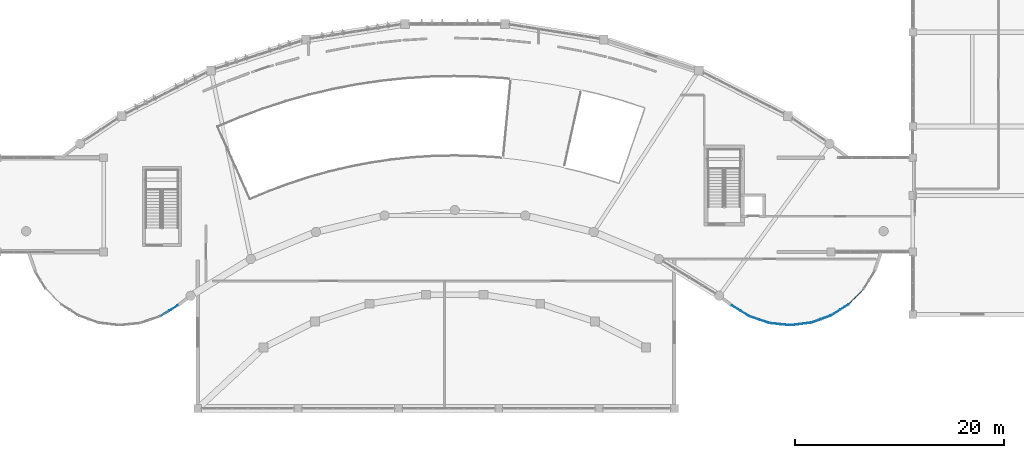
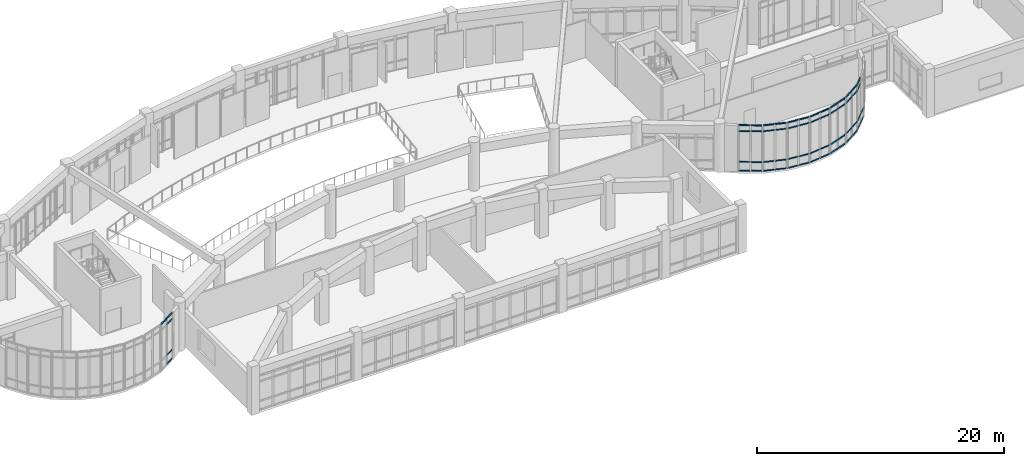
# One storey, part 35 of 68: 59 members, 8 elements without a shape of their own.
"""IFC4 building model written with IfcOpenShell, lengths in metres."""

from ifc_helpers import new_model, si_unit, direction, frame, origin, origin_2d, place, context, subcontext, project, spatial, rectangle, extrude, material, layer, layer_set, material_profile, profile_set, type_object, element, aggregate, save


model = new_model("IFC4")

# Units and contexts
model_context = context("Model", 3, precision=1e-05, world=origin(), true_north=direction((0.0, 1.0)))
body_context = subcontext(model_context, "Body", "Model", "MODEL_VIEW")
ifc_project = project(units=[si_unit("LENGTHUNIT", "METRE"), si_unit("AREAUNIT", "SQUARE_METRE"), si_unit("VOLUMEUNIT", "CUBIC_METRE"), si_unit("PLANEANGLEUNIT", "RADIAN"), si_unit("MASSUNIT", "GRAM", prefix="KILO")], contexts=[model_context])

# Site, building, storey
site_placement = place(None, origin())
site = spatial("IfcSite", under=ifc_project, at=site_placement, CompositionType="ELEMENT")
building_placement = place(site_placement, origin())
building = spatial("IfcBuilding", under=site, at=building_placement, Name="Miralva Faculty of Natural Sciences", CompositionType="ELEMENT")
storey_placement = place(building_placement, frame((0.0, 0.0, 5.39990234375)))
storey = spatial("IfcBuildingStorey", under=building, at=storey_placement, Name="L01", CompositionType="ELEMENT", Elevation=5.39990234375)

# Curtain wall, members
ifc_material_1 = material(Name="Laminated solar-control glass", Category="glass")
ifc_layer = layer(ifc_material_1, 0.179931640625, Name="CW-RND-L01")
ifc_layer_set = layer_set([ifc_layer], Name="Laminated solar-control glass")
curtain_wall_type = type_object("IfcCurtainWallType", Name="CW-RND-L01", PredefinedType="USERDEFINED", material=ifc_layer_set)
curtain_wall_1_placement = place(storey_placement, origin())
curtain_wall_1 = element("IfcCurtainWall", 1, at=curtain_wall_1_placement, inside=storey, type_object=curtain_wall_type, Name="Curtain wall CW-05 L01-47", ObjectType="UNITISED CURTAIN WALL", PredefinedType="USERDEFINED")
ifc_material_2 = material(Name="Anodised aluminium", Category="aluminium")
ifc_material_profile = material_profile(ifc_material_2, rectangle(XDim=0.06005859375, YDim=0.1201171875, at=origin_2d()), Name="TRANSOM 60x120")
ifc_profile_set = profile_set([ifc_material_profile], Name="Anodised aluminium")
member_type = type_object("IfcMemberType", Name="CW-T02", PredefinedType="USERDEFINED", material=ifc_profile_set)
member_1_placement = place(storey_placement, frame((61.864990234375, 11.86328125, 4.52001953125), z_axis=(0.852016327326, 0.52351521274, 0.0), x_axis=(-0.52351521274, 0.852016327326, 0.0)))
member_1 = element("IfcMember", 2, at=member_1_placement, type_object=member_type, Name="CW-05 transom 1.4", ObjectType="TRANSOM", PredefinedType="USERDEFINED", context=body_context, shape_type="SweptSolid", body=[
    extrude(rectangle(XDim=0.06005859375, YDim=0.1201171875, at=origin_2d()), origin(), (0.0, 0.0, 1.0), 0.91259765625),
])
member_2_placement = place(storey_placement, frame((62.697998046875, 12.375244140625, 0.030029296875), z_axis=(0.852016327326, 0.52351521274, 0.0), x_axis=(-0.52351521274, 0.852016327326, 0.0)))
member_2 = element("IfcMember", 3, at=member_2_placement, type_object=member_type, Name="CW-05 transom 2.1", ObjectType="TRANSOM", PredefinedType="USERDEFINED", context=body_context, shape_type="SweptSolid", body=[
    extrude(rectangle(XDim=0.06005859375, YDim=0.1201171875, at=origin_2d()), origin(), (0.0, 0.0, 1.0), 0.91259765625),
])
member_3_placement = place(storey_placement, frame((62.697998046875, 12.375244140625, 0.900146484375), z_axis=(0.852016327326, 0.52351521274, 0.0), x_axis=(-0.52351521274, 0.852016327326, 0.0)))
member_3 = element("IfcMember", 4, at=member_3_placement, type_object=member_type, Name="CW-05 transom 2.2", ObjectType="TRANSOM", PredefinedType="USERDEFINED", context=body_context, shape_type="SweptSolid", body=[
    extrude(rectangle(XDim=0.06005859375, YDim=0.1201171875, at=origin_2d()), origin(), (0.0, 0.0, 1.0), 0.91259765625),
])
member_4_placement = place(storey_placement, frame((62.697998046875, 12.375244140625, 3.9501953125), z_axis=(0.852016327326, 0.52351521274, 0.0), x_axis=(-0.52351521274, 0.852016327326, 0.0)))
member_4 = element("IfcMember", 5, at=member_4_placement, type_object=member_type, Name="CW-05 transom 2.3", ObjectType="TRANSOM", PredefinedType="USERDEFINED", context=body_context, shape_type="SweptSolid", body=[
    extrude(rectangle(XDim=0.06005859375, YDim=0.1201171875, at=origin_2d()), origin(), (0.0, 0.0, 1.0), 0.91259765625),
])
member_5_placement = place(storey_placement, frame((62.697998046875, 12.375244140625, 4.52001953125), z_axis=(0.852016327326, 0.52351521274, 0.0), x_axis=(-0.52351521274, 0.852016327326, 0.0)))
member_5 = element("IfcMember", 6, at=member_5_placement, type_object=member_type, Name="CW-05 transom 2.4", ObjectType="TRANSOM", PredefinedType="USERDEFINED", context=body_context, shape_type="SweptSolid", body=[
    extrude(rectangle(XDim=0.06005859375, YDim=0.1201171875, at=origin_2d()), origin(), (0.0, 0.0, 1.0), 0.91259765625),
])
aggregate(curtain_wall_1, [member_1, member_2, member_3, member_4, member_5])

curtain_wall_2_placement = place(storey_placement, origin())
curtain_wall_2 = element("IfcCurtainWall", 7, at=curtain_wall_2_placement, inside=storey, type_object=curtain_wall_type, Name="Curtain wall CW-05 L01-56", ObjectType="UNITISED CURTAIN WALL", PredefinedType="USERDEFINED")
member_6_placement = place(storey_placement, frame((127.7412109375, 13.042724609375, 0.030029296875), z_axis=(0.699983155997, 0.71415935289, 0.0), x_axis=(-0.71415935289, 0.699983155997, 0.0)))
member_6 = element("IfcMember", 8, at=member_6_placement, type_object=member_type, Name="CW-05 transom 1.1", ObjectType="TRANSOM", PredefinedType="USERDEFINED", context=body_context, shape_type="SweptSolid", body=[
    extrude(rectangle(XDim=0.06005859375, YDim=0.1201171875, at=origin_2d()), origin(), (0.0, 0.0, 1.0), 0.912841796875),
])
member_7_placement = place(storey_placement, frame((127.7412109375, 13.042724609375, 0.900146484375), z_axis=(0.699983155997, 0.71415935289, 0.0), x_axis=(-0.71415935289, 0.699983155997, 0.0)))
member_7 = element("IfcMember", 9, at=member_7_placement, type_object=member_type, Name="CW-05 transom 1.2", ObjectType="TRANSOM", PredefinedType="USERDEFINED", context=body_context, shape_type="SweptSolid", body=[
    extrude(rectangle(XDim=0.06005859375, YDim=0.1201171875, at=origin_2d()), origin(), (0.0, 0.0, 1.0), 0.912841796875),
])
member_8_placement = place(storey_placement, frame((127.7412109375, 13.042724609375, 3.9501953125), z_axis=(0.699983155997, 0.71415935289, 0.0), x_axis=(-0.71415935289, 0.699983155997, 0.0)))
member_8 = element("IfcMember", 10, at=member_8_placement, type_object=member_type, Name="CW-05 transom 1.3", ObjectType="TRANSOM", PredefinedType="USERDEFINED", context=body_context, shape_type="SweptSolid", body=[
    extrude(rectangle(XDim=0.06005859375, YDim=0.1201171875, at=origin_2d()), origin(), (0.0, 0.0, 1.0), 0.912841796875),
])
member_9_placement = place(storey_placement, frame((127.7412109375, 13.042724609375, 4.52001953125), z_axis=(0.699983155997, 0.71415935289, 0.0), x_axis=(-0.71415935289, 0.699983155997, 0.0)))
member_9 = element("IfcMember", 11, at=member_9_placement, type_object=member_type, Name="CW-05 transom 1.4", ObjectType="TRANSOM", PredefinedType="USERDEFINED", context=body_context, shape_type="SweptSolid", body=[
    extrude(rectangle(XDim=0.06005859375, YDim=0.1201171875, at=origin_2d()), origin(), (0.0, 0.0, 1.0), 0.912841796875),
])
member_10_placement = place(storey_placement, frame((128.425537109375, 13.740966796875, 0.030029296875), z_axis=(0.699983155997, 0.71415935289, 0.0), x_axis=(-0.71415935289, 0.699983155997, 0.0)))
member_10 = element("IfcMember", 12, at=member_10_placement, type_object=member_type, Name="CW-05 transom 2.1", ObjectType="TRANSOM", PredefinedType="USERDEFINED", context=body_context, shape_type="SweptSolid", body=[
    extrude(rectangle(XDim=0.06005859375, YDim=0.1201171875, at=origin_2d()), origin(), (0.0, 0.0, 1.0), 0.912841796875),
])
member_11_placement = place(storey_placement, frame((128.425537109375, 13.740966796875, 0.900146484375), z_axis=(0.699983155997, 0.71415935289, 0.0), x_axis=(-0.71415935289, 0.699983155997, 0.0)))
member_11 = element("IfcMember", 13, at=member_11_placement, type_object=member_type, Name="CW-05 transom 2.2", ObjectType="TRANSOM", PredefinedType="USERDEFINED", context=body_context, shape_type="SweptSolid", body=[
    extrude(rectangle(XDim=0.06005859375, YDim=0.1201171875, at=origin_2d()), origin(), (0.0, 0.0, 1.0), 0.912841796875),
])
aggregate(curtain_wall_2, [member_6, member_7, member_8, member_9, member_10, member_11])

curtain_wall_3_placement = place(storey_placement, origin())
curtain_wall_3 = element("IfcCurtainWall", 14, at=curtain_wall_3_placement, inside=storey, type_object=curtain_wall_type, Name="Curtain wall CW-05 L01-57", ObjectType="UNITISED CURTAIN WALL", PredefinedType="USERDEFINED")
member_12_placement = place(storey_placement, frame((126.0546875, 11.9423828125, 0.030029296875), z_axis=(0.841395718797, 0.540419507781, 0.0), x_axis=(-0.540419507781, 0.841395718797, 0.0)))
member_12 = element("IfcMember", 15, at=member_12_placement, type_object=member_type, Name="CW-05 transom 1.1", ObjectType="TRANSOM", PredefinedType="USERDEFINED", context=body_context, shape_type="SweptSolid", body=[
    extrude(rectangle(XDim=0.06005859375, YDim=0.1201171875, at=origin_2d()), origin(), (0.0, 0.0, 1.0), 0.91259765625),
])
member_13_placement = place(storey_placement, frame((126.0546875, 11.9423828125, 0.900146484375), z_axis=(0.841395718797, 0.540419507781, 0.0), x_axis=(-0.540419507781, 0.841395718797, 0.0)))
member_13 = element("IfcMember", 16, at=member_13_placement, type_object=member_type, Name="CW-05 transom 1.2", ObjectType="TRANSOM", PredefinedType="USERDEFINED", context=body_context, shape_type="SweptSolid", body=[
    extrude(rectangle(XDim=0.06005859375, YDim=0.1201171875, at=origin_2d()), origin(), (0.0, 0.0, 1.0), 0.91259765625),
])
member_14_placement = place(storey_placement, frame((126.0546875, 11.9423828125, 3.9501953125), z_axis=(0.841395718797, 0.540419507781, 0.0), x_axis=(-0.540419507781, 0.841395718797, 0.0)))
member_14 = element("IfcMember", 17, at=member_14_placement, type_object=member_type, Name="CW-05 transom 1.3", ObjectType="TRANSOM", PredefinedType="USERDEFINED", context=body_context, shape_type="SweptSolid", body=[
    extrude(rectangle(XDim=0.06005859375, YDim=0.1201171875, at=origin_2d()), origin(), (0.0, 0.0, 1.0), 0.91259765625),
])
member_15_placement = place(storey_placement, frame((126.0546875, 11.9423828125, 4.52001953125), z_axis=(0.841395718797, 0.540419507781, 0.0), x_axis=(-0.540419507781, 0.841395718797, 0.0)))
member_15 = element("IfcMember", 18, at=member_15_placement, type_object=member_type, Name="CW-05 transom 1.4", ObjectType="TRANSOM", PredefinedType="USERDEFINED", context=body_context, shape_type="SweptSolid", body=[
    extrude(rectangle(XDim=0.06005859375, YDim=0.1201171875, at=origin_2d()), origin(), (0.0, 0.0, 1.0), 0.91259765625),
])
member_16_placement = place(storey_placement, frame((126.877197265625, 12.470703125, 0.030029296875), z_axis=(0.841473826714, 0.540297879836, 0.0), x_axis=(-0.540297879836, 0.841473826714, 0.0)))
member_16 = element("IfcMember", 19, at=member_16_placement, type_object=member_type, Name="CW-05 transom 2.1", ObjectType="TRANSOM", PredefinedType="USERDEFINED", context=body_context, shape_type="SweptSolid", body=[
    extrude(rectangle(XDim=0.06005859375, YDim=0.1201171875, at=origin_2d()), origin(), (0.0, 0.0, 1.0), 0.912841796875),
])
member_17_placement = place(storey_placement, frame((126.877197265625, 12.470703125, 0.900146484375), z_axis=(0.841473826714, 0.540297879836, 0.0), x_axis=(-0.540297879836, 0.841473826714, 0.0)))
member_17 = element("IfcMember", 20, at=member_17_placement, type_object=member_type, Name="CW-05 transom 2.2", ObjectType="TRANSOM", PredefinedType="USERDEFINED", context=body_context, shape_type="SweptSolid", body=[
    extrude(rectangle(XDim=0.06005859375, YDim=0.1201171875, at=origin_2d()), origin(), (0.0, 0.0, 1.0), 0.912841796875),
])
member_18_placement = place(storey_placement, frame((126.877197265625, 12.470703125, 3.9501953125), z_axis=(0.841473826714, 0.540297879836, 0.0), x_axis=(-0.540297879836, 0.841473826714, 0.0)))
member_18 = element("IfcMember", 21, at=member_18_placement, type_object=member_type, Name="CW-05 transom 2.3", ObjectType="TRANSOM", PredefinedType="USERDEFINED", context=body_context, shape_type="SweptSolid", body=[
    extrude(rectangle(XDim=0.06005859375, YDim=0.1201171875, at=origin_2d()), origin(), (0.0, 0.0, 1.0), 0.912841796875),
])
member_19_placement = place(storey_placement, frame((126.877197265625, 12.470703125, 4.52001953125), z_axis=(0.841473826714, 0.540297879836, 0.0), x_axis=(-0.540297879836, 0.841473826714, 0.0)))
member_19 = element("IfcMember", 22, at=member_19_placement, type_object=member_type, Name="CW-05 transom 2.4", ObjectType="TRANSOM", PredefinedType="USERDEFINED", context=body_context, shape_type="SweptSolid", body=[
    extrude(rectangle(XDim=0.06005859375, YDim=0.1201171875, at=origin_2d()), origin(), (0.0, 0.0, 1.0), 0.912841796875),
])
aggregate(curtain_wall_3, [member_12, member_13, member_14, member_15, member_16, member_17, member_18, member_19])

curtain_wall_4_placement = place(storey_placement, origin())
curtain_wall_4 = element("IfcCurtainWall", 23, at=curtain_wall_4_placement, inside=storey, type_object=curtain_wall_type, Name="Curtain wall CW-05 L01-58", ObjectType="UNITISED CURTAIN WALL", PredefinedType="USERDEFINED")
member_20_placement = place(storey_placement, frame((124.16552734375, 11.24462890625, 0.030029296875), z_axis=(0.940525411881, 0.339723342744, 0.0), x_axis=(-0.339723342744, 0.940525411881, 0.0)))
member_20 = element("IfcMember", 24, at=member_20_placement, type_object=member_type, Name="CW-05 transom 1.1", ObjectType="TRANSOM", PredefinedType="USERDEFINED", context=body_context, shape_type="SweptSolid", body=[
    extrude(rectangle(XDim=0.06005859375, YDim=0.1201171875, at=origin_2d()), origin(), (0.0, 0.0, 1.0), 0.91259765625),
])
member_21_placement = place(storey_placement, frame((124.16552734375, 11.24462890625, 0.900146484375), z_axis=(0.940525411881, 0.339723342744, 0.0), x_axis=(-0.339723342744, 0.940525411881, 0.0)))
member_21 = element("IfcMember", 25, at=member_21_placement, type_object=member_type, Name="CW-05 transom 1.2", ObjectType="TRANSOM", PredefinedType="USERDEFINED", context=body_context, shape_type="SweptSolid", body=[
    extrude(rectangle(XDim=0.06005859375, YDim=0.1201171875, at=origin_2d()), origin(), (0.0, 0.0, 1.0), 0.91259765625),
])
member_22_placement = place(storey_placement, frame((124.16552734375, 11.24462890625, 3.9501953125), z_axis=(0.940525411881, 0.339723342744, 0.0), x_axis=(-0.339723342744, 0.940525411881, 0.0)))
member_22 = element("IfcMember", 26, at=member_22_placement, type_object=member_type, Name="CW-05 transom 1.3", ObjectType="TRANSOM", PredefinedType="USERDEFINED", context=body_context, shape_type="SweptSolid", body=[
    extrude(rectangle(XDim=0.06005859375, YDim=0.1201171875, at=origin_2d()), origin(), (0.0, 0.0, 1.0), 0.91259765625),
])
member_23_placement = place(storey_placement, frame((124.16552734375, 11.24462890625, 4.52001953125), z_axis=(0.940525411881, 0.339723342744, 0.0), x_axis=(-0.339723342744, 0.940525411881, 0.0)))
member_23 = element("IfcMember", 27, at=member_23_placement, type_object=member_type, Name="CW-05 transom 1.4", ObjectType="TRANSOM", PredefinedType="USERDEFINED", context=body_context, shape_type="SweptSolid", body=[
    extrude(rectangle(XDim=0.06005859375, YDim=0.1201171875, at=origin_2d()), origin(), (0.0, 0.0, 1.0), 0.91259765625),
])
member_24_placement = place(storey_placement, frame((125.085205078125, 11.576904296875, 0.030029296875), z_axis=(0.94061086064, 0.339486684344, 0.0), x_axis=(-0.339486684344, 0.94061086064, 0.0)))
member_24 = element("IfcMember", 28, at=member_24_placement, type_object=member_type, Name="CW-05 transom 2.1", ObjectType="TRANSOM", PredefinedType="USERDEFINED", context=body_context, shape_type="SweptSolid", body=[
    extrude(rectangle(XDim=0.06005859375, YDim=0.1201171875, at=origin_2d()), origin(), (0.0, 0.0, 1.0), 0.91259765625),
])
member_25_placement = place(storey_placement, frame((125.085205078125, 11.576904296875, 0.900146484375), z_axis=(0.94061086064, 0.339486684344, 0.0), x_axis=(-0.339486684344, 0.94061086064, 0.0)))
member_25 = element("IfcMember", 29, at=member_25_placement, type_object=member_type, Name="CW-05 transom 2.2", ObjectType="TRANSOM", PredefinedType="USERDEFINED", context=body_context, shape_type="SweptSolid", body=[
    extrude(rectangle(XDim=0.06005859375, YDim=0.1201171875, at=origin_2d()), origin(), (0.0, 0.0, 1.0), 0.91259765625),
])
member_26_placement = place(storey_placement, frame((125.085205078125, 11.576904296875, 3.9501953125), z_axis=(0.94061086064, 0.339486684344, 0.0), x_axis=(-0.339486684344, 0.94061086064, 0.0)))
member_26 = element("IfcMember", 30, at=member_26_placement, type_object=member_type, Name="CW-05 transom 2.3", ObjectType="TRANSOM", PredefinedType="USERDEFINED", context=body_context, shape_type="SweptSolid", body=[
    extrude(rectangle(XDim=0.06005859375, YDim=0.1201171875, at=origin_2d()), origin(), (0.0, 0.0, 1.0), 0.91259765625),
])
member_27_placement = place(storey_placement, frame((125.085205078125, 11.576904296875, 4.52001953125), z_axis=(0.94061086064, 0.339486684344, 0.0), x_axis=(-0.339486684344, 0.94061086064, 0.0)))
member_27 = element("IfcMember", 31, at=member_27_placement, type_object=member_type, Name="CW-05 transom 2.4", ObjectType="TRANSOM", PredefinedType="USERDEFINED", context=body_context, shape_type="SweptSolid", body=[
    extrude(rectangle(XDim=0.06005859375, YDim=0.1201171875, at=origin_2d()), origin(), (0.0, 0.0, 1.0), 0.91259765625),
])
aggregate(curtain_wall_4, [member_20, member_21, member_22, member_23, member_24, member_25, member_26, member_27])

curtain_wall_5_placement = place(storey_placement, origin())
curtain_wall_5 = element("IfcCurtainWall", 32, at=curtain_wall_5_placement, inside=storey, type_object=curtain_wall_type, Name="Curtain wall CW-05 L01-59", ObjectType="UNITISED CURTAIN WALL", PredefinedType="USERDEFINED")
member_28_placement = place(storey_placement, frame((122.168701171875, 10.98486328125, 0.030029296875), z_axis=(0.992534937681, 0.121960639068, 0.0), x_axis=(-0.121960639068, 0.992534937681, 0.0)))
member_28 = element("IfcMember", 33, at=member_28_placement, type_object=member_type, Name="CW-05 transom 1.1", ObjectType="TRANSOM", PredefinedType="USERDEFINED", context=body_context, shape_type="SweptSolid", body=[
    extrude(rectangle(XDim=0.06005859375, YDim=0.1201171875, at=origin_2d()), origin(), (0.0, 0.0, 1.0), 0.912841796875),
])
member_29_placement = place(storey_placement, frame((122.168701171875, 10.98486328125, 0.900146484375), z_axis=(0.992534937681, 0.121960639068, 0.0), x_axis=(-0.121960639068, 0.992534937681, 0.0)))
member_29 = element("IfcMember", 34, at=member_29_placement, type_object=member_type, Name="CW-05 transom 1.2", ObjectType="TRANSOM", PredefinedType="USERDEFINED", context=body_context, shape_type="SweptSolid", body=[
    extrude(rectangle(XDim=0.06005859375, YDim=0.1201171875, at=origin_2d()), origin(), (0.0, 0.0, 1.0), 0.912841796875),
])
member_30_placement = place(storey_placement, frame((122.168701171875, 10.98486328125, 3.9501953125), z_axis=(0.992534937681, 0.121960639068, 0.0), x_axis=(-0.121960639068, 0.992534937681, 0.0)))
member_30 = element("IfcMember", 35, at=member_30_placement, type_object=member_type, Name="CW-05 transom 1.3", ObjectType="TRANSOM", PredefinedType="USERDEFINED", context=body_context, shape_type="SweptSolid", body=[
    extrude(rectangle(XDim=0.06005859375, YDim=0.1201171875, at=origin_2d()), origin(), (0.0, 0.0, 1.0), 0.912841796875),
])
member_31_placement = place(storey_placement, frame((122.168701171875, 10.98486328125, 4.52001953125), z_axis=(0.992534937681, 0.121960639068, 0.0), x_axis=(-0.121960639068, 0.992534937681, 0.0)))
member_31 = element("IfcMember", 36, at=member_31_placement, type_object=member_type, Name="CW-05 transom 1.4", ObjectType="TRANSOM", PredefinedType="USERDEFINED", context=body_context, shape_type="SweptSolid", body=[
    extrude(rectangle(XDim=0.06005859375, YDim=0.1201171875, at=origin_2d()), origin(), (0.0, 0.0, 1.0), 0.912841796875),
])
member_32_placement = place(storey_placement, frame((123.13916015625, 11.10400390625, 0.030029296875), z_axis=(0.992530957827, 0.121993023388, 0.0), x_axis=(-0.121993023388, 0.992530957827, 0.0)))
member_32 = element("IfcMember", 37, at=member_32_placement, type_object=member_type, Name="CW-05 transom 2.1", ObjectType="TRANSOM", PredefinedType="USERDEFINED", context=body_context, shape_type="SweptSolid", body=[
    extrude(rectangle(XDim=0.06005859375, YDim=0.1201171875, at=origin_2d()), origin(), (0.0, 0.0, 1.0), 0.91259765625),
])
member_33_placement = place(storey_placement, frame((123.13916015625, 11.10400390625, 0.900146484375), z_axis=(0.992530957827, 0.121993023388, 0.0), x_axis=(-0.121993023388, 0.992530957827, 0.0)))
member_33 = element("IfcMember", 38, at=member_33_placement, type_object=member_type, Name="CW-05 transom 2.2", ObjectType="TRANSOM", PredefinedType="USERDEFINED", context=body_context, shape_type="SweptSolid", body=[
    extrude(rectangle(XDim=0.06005859375, YDim=0.1201171875, at=origin_2d()), origin(), (0.0, 0.0, 1.0), 0.91259765625),
])
member_34_placement = place(storey_placement, frame((123.13916015625, 11.10400390625, 3.9501953125), z_axis=(0.992530957827, 0.121993023388, 0.0), x_axis=(-0.121993023388, 0.992530957827, 0.0)))
member_34 = element("IfcMember", 39, at=member_34_placement, type_object=member_type, Name="CW-05 transom 2.3", ObjectType="TRANSOM", PredefinedType="USERDEFINED", context=body_context, shape_type="SweptSolid", body=[
    extrude(rectangle(XDim=0.06005859375, YDim=0.1201171875, at=origin_2d()), origin(), (0.0, 0.0, 1.0), 0.91259765625),
])
member_35_placement = place(storey_placement, frame((123.13916015625, 11.10400390625, 4.52001953125), z_axis=(0.992530957827, 0.121993023388, 0.0), x_axis=(-0.121993023388, 0.992530957827, 0.0)))
member_35 = element("IfcMember", 40, at=member_35_placement, type_object=member_type, Name="CW-05 transom 2.4", ObjectType="TRANSOM", PredefinedType="USERDEFINED", context=body_context, shape_type="SweptSolid", body=[
    extrude(rectangle(XDim=0.06005859375, YDim=0.1201171875, at=origin_2d()), origin(), (0.0, 0.0, 1.0), 0.91259765625),
])
aggregate(curtain_wall_5, [member_28, member_29, member_30, member_31, member_32, member_33, member_34, member_35])

curtain_wall_6_placement = place(storey_placement, origin())
curtain_wall_6 = element("IfcCurtainWall", 41, at=curtain_wall_6_placement, inside=storey, type_object=curtain_wall_type, Name="Curtain wall CW-05 L01-60", ObjectType="UNITISED CURTAIN WALL", PredefinedType="USERDEFINED")
member_36_placement = place(storey_placement, frame((120.1640625, 11.176025390625, 0.030029296875), z_axis=(0.994793266196, -0.101913480619, 0.0), x_axis=(0.101913480619, 0.994793266196, 0.0)))
member_36 = element("IfcMember", 42, at=member_36_placement, type_object=member_type, Name="CW-05 transom 1.1", ObjectType="TRANSOM", PredefinedType="USERDEFINED", context=body_context, shape_type="SweptSolid", body=[
    extrude(rectangle(XDim=0.06005859375, YDim=0.1201171875, at=origin_2d()), origin(), (0.0, 0.0, 1.0), 0.91259765625),
])
member_37_placement = place(storey_placement, frame((120.1640625, 11.176025390625, 0.900146484375), z_axis=(0.994793266196, -0.101913480619, 0.0), x_axis=(0.101913480619, 0.994793266196, 0.0)))
member_37 = element("IfcMember", 43, at=member_37_placement, type_object=member_type, Name="CW-05 transom 1.2", ObjectType="TRANSOM", PredefinedType="USERDEFINED", context=body_context, shape_type="SweptSolid", body=[
    extrude(rectangle(XDim=0.06005859375, YDim=0.1201171875, at=origin_2d()), origin(), (0.0, 0.0, 1.0), 0.91259765625),
])
member_38_placement = place(storey_placement, frame((120.1640625, 11.176025390625, 3.9501953125), z_axis=(0.994793266196, -0.101913480619, 0.0), x_axis=(0.101913480619, 0.994793266196, 0.0)))
member_38 = element("IfcMember", 44, at=member_38_placement, type_object=member_type, Name="CW-05 transom 1.3", ObjectType="TRANSOM", PredefinedType="USERDEFINED", context=body_context, shape_type="SweptSolid", body=[
    extrude(rectangle(XDim=0.06005859375, YDim=0.1201171875, at=origin_2d()), origin(), (0.0, 0.0, 1.0), 0.91259765625),
])
member_39_placement = place(storey_placement, frame((120.1640625, 11.176025390625, 4.52001953125), z_axis=(0.994793266196, -0.101913480619, 0.0), x_axis=(0.101913480619, 0.994793266196, 0.0)))
member_39 = element("IfcMember", 45, at=member_39_placement, type_object=member_type, Name="CW-05 transom 1.4", ObjectType="TRANSOM", PredefinedType="USERDEFINED", context=body_context, shape_type="SweptSolid", body=[
    extrude(rectangle(XDim=0.06005859375, YDim=0.1201171875, at=origin_2d()), origin(), (0.0, 0.0, 1.0), 0.91259765625),
])
member_40_placement = place(storey_placement, frame((121.136474609375, 11.076171875, 0.030029296875), z_axis=(0.994793266196, -0.101913480619, 0.0), x_axis=(0.101913480619, 0.994793266196, 0.0)))
member_40 = element("IfcMember", 46, at=member_40_placement, type_object=member_type, Name="CW-05 transom 2.1", ObjectType="TRANSOM", PredefinedType="USERDEFINED", context=body_context, shape_type="SweptSolid", body=[
    extrude(rectangle(XDim=0.06005859375, YDim=0.1201171875, at=origin_2d()), origin(), (0.0, 0.0, 1.0), 0.91259765625),
])
member_41_placement = place(storey_placement, frame((121.136474609375, 11.076171875, 0.900146484375), z_axis=(0.994793266196, -0.101913480619, 0.0), x_axis=(0.101913480619, 0.994793266196, 0.0)))
member_41 = element("IfcMember", 47, at=member_41_placement, type_object=member_type, Name="CW-05 transom 2.2", ObjectType="TRANSOM", PredefinedType="USERDEFINED", context=body_context, shape_type="SweptSolid", body=[
    extrude(rectangle(XDim=0.06005859375, YDim=0.1201171875, at=origin_2d()), origin(), (0.0, 0.0, 1.0), 0.91259765625),
])
member_42_placement = place(storey_placement, frame((121.136474609375, 11.076171875, 3.9501953125), z_axis=(0.994793266196, -0.101913480619, 0.0), x_axis=(0.101913480619, 0.994793266196, 0.0)))
member_42 = element("IfcMember", 48, at=member_42_placement, type_object=member_type, Name="CW-05 transom 2.3", ObjectType="TRANSOM", PredefinedType="USERDEFINED", context=body_context, shape_type="SweptSolid", body=[
    extrude(rectangle(XDim=0.06005859375, YDim=0.1201171875, at=origin_2d()), origin(), (0.0, 0.0, 1.0), 0.91259765625),
])
member_43_placement = place(storey_placement, frame((121.136474609375, 11.076171875, 4.52001953125), z_axis=(0.994793266196, -0.101913480619, 0.0), x_axis=(0.101913480619, 0.994793266196, 0.0)))
member_43 = element("IfcMember", 49, at=member_43_placement, type_object=member_type, Name="CW-05 transom 2.4", ObjectType="TRANSOM", PredefinedType="USERDEFINED", context=body_context, shape_type="SweptSolid", body=[
    extrude(rectangle(XDim=0.06005859375, YDim=0.1201171875, at=origin_2d()), origin(), (0.0, 0.0, 1.0), 0.91259765625),
])
aggregate(curtain_wall_6, [member_36, member_37, member_38, member_39, member_40, member_41, member_42, member_43])

curtain_wall_7_placement = place(storey_placement, origin())
curtain_wall_7 = element("IfcCurtainWall", 50, at=curtain_wall_7_placement, inside=storey, type_object=curtain_wall_type, Name="Curtain wall CW-05 L01-61", ObjectType="UNITISED CURTAIN WALL", PredefinedType="USERDEFINED")
member_44_placement = place(storey_placement, frame((118.251953125, 11.808349609375, 0.030029296875), z_axis=(0.947174722358, -0.32071801528, 0.0), x_axis=(0.32071801528, 0.947174722358, 0.0)))
member_44 = element("IfcMember", 51, at=member_44_placement, type_object=member_type, Name="CW-05 transom 1.1", ObjectType="TRANSOM", PredefinedType="USERDEFINED", context=body_context, shape_type="SweptSolid", body=[
    extrude(rectangle(XDim=0.06005859375, YDim=0.1201171875, at=origin_2d()), origin(), (0.0, 0.0, 1.0), 0.91259765625),
])
member_45_placement = place(storey_placement, frame((118.251953125, 11.808349609375, 0.900146484375), z_axis=(0.947174722358, -0.32071801528, 0.0), x_axis=(0.32071801528, 0.947174722358, 0.0)))
member_45 = element("IfcMember", 52, at=member_45_placement, type_object=member_type, Name="CW-05 transom 1.2", ObjectType="TRANSOM", PredefinedType="USERDEFINED", context=body_context, shape_type="SweptSolid", body=[
    extrude(rectangle(XDim=0.06005859375, YDim=0.1201171875, at=origin_2d()), origin(), (0.0, 0.0, 1.0), 0.91259765625),
])
member_46_placement = place(storey_placement, frame((118.251953125, 11.808349609375, 3.9501953125), z_axis=(0.947174722358, -0.32071801528, 0.0), x_axis=(0.32071801528, 0.947174722358, 0.0)))
member_46 = element("IfcMember", 53, at=member_46_placement, type_object=member_type, Name="CW-05 transom 1.3", ObjectType="TRANSOM", PredefinedType="USERDEFINED", context=body_context, shape_type="SweptSolid", body=[
    extrude(rectangle(XDim=0.06005859375, YDim=0.1201171875, at=origin_2d()), origin(), (0.0, 0.0, 1.0), 0.91259765625),
])
member_47_placement = place(storey_placement, frame((118.251953125, 11.808349609375, 4.52001953125), z_axis=(0.947174722358, -0.32071801528, 0.0), x_axis=(0.32071801528, 0.947174722358, 0.0)))
member_47 = element("IfcMember", 54, at=member_47_placement, type_object=member_type, Name="CW-05 transom 1.4", ObjectType="TRANSOM", PredefinedType="USERDEFINED", context=body_context, shape_type="SweptSolid", body=[
    extrude(rectangle(XDim=0.06005859375, YDim=0.1201171875, at=origin_2d()), origin(), (0.0, 0.0, 1.0), 0.91259765625),
])
member_48_placement = place(storey_placement, frame((119.177978515625, 11.494873046875, 0.030029296875), z_axis=(0.947093442527, -0.320957958496, 0.0), x_axis=(0.320957958496, 0.947093442527, 0.0)))
member_48 = element("IfcMember", 55, at=member_48_placement, type_object=member_type, Name="CW-05 transom 2.1", ObjectType="TRANSOM", PredefinedType="USERDEFINED", context=body_context, shape_type="SweptSolid", body=[
    extrude(rectangle(XDim=0.06005859375, YDim=0.1201171875, at=origin_2d()), origin(), (0.0, 0.0, 1.0), 0.912841796875),
])
member_49_placement = place(storey_placement, frame((119.177978515625, 11.494873046875, 0.900146484375), z_axis=(0.947093442527, -0.320957958496, 0.0), x_axis=(0.320957958496, 0.947093442527, 0.0)))
member_49 = element("IfcMember", 56, at=member_49_placement, type_object=member_type, Name="CW-05 transom 2.2", ObjectType="TRANSOM", PredefinedType="USERDEFINED", context=body_context, shape_type="SweptSolid", body=[
    extrude(rectangle(XDim=0.06005859375, YDim=0.1201171875, at=origin_2d()), origin(), (0.0, 0.0, 1.0), 0.912841796875),
])
member_50_placement = place(storey_placement, frame((119.177978515625, 11.494873046875, 3.9501953125), z_axis=(0.947093442527, -0.320957958496, 0.0), x_axis=(0.320957958496, 0.947093442527, 0.0)))
member_50 = element("IfcMember", 57, at=member_50_placement, type_object=member_type, Name="CW-05 transom 2.3", ObjectType="TRANSOM", PredefinedType="USERDEFINED", context=body_context, shape_type="SweptSolid", body=[
    extrude(rectangle(XDim=0.06005859375, YDim=0.1201171875, at=origin_2d()), origin(), (0.0, 0.0, 1.0), 0.912841796875),
])
member_51_placement = place(storey_placement, frame((119.177978515625, 11.494873046875, 4.52001953125), z_axis=(0.947093442527, -0.320957958496, 0.0), x_axis=(0.320957958496, 0.947093442527, 0.0)))
member_51 = element("IfcMember", 58, at=member_51_placement, type_object=member_type, Name="CW-05 transom 2.4", ObjectType="TRANSOM", PredefinedType="USERDEFINED", context=body_context, shape_type="SweptSolid", body=[
    extrude(rectangle(XDim=0.06005859375, YDim=0.1201171875, at=origin_2d()), origin(), (0.0, 0.0, 1.0), 0.912841796875),
])
aggregate(curtain_wall_7, [member_44, member_45, member_46, member_47, member_48, member_49, member_50, member_51])

curtain_wall_8_placement = place(storey_placement, origin())
curtain_wall_8 = element("IfcCurtainWall", 59, at=curtain_wall_8_placement, inside=storey, type_object=curtain_wall_type, Name="Curtain wall CW-05 L01-62", ObjectType="UNITISED CURTAIN WALL", PredefinedType="USERDEFINED")
member_52_placement = place(storey_placement, frame((116.5244140625, 12.85302734375, 0.030029296875), z_axis=(0.852079385705, -0.523412571933, 0.0), x_axis=(0.523412571933, 0.852079385705, 0.0)))
member_52 = element("IfcMember", 60, at=member_52_placement, type_object=member_type, Name="CW-05 transom 1.1", ObjectType="TRANSOM", PredefinedType="USERDEFINED", context=body_context, shape_type="SweptSolid", body=[
    extrude(rectangle(XDim=0.06005859375, YDim=0.1201171875, at=origin_2d()), origin(), (0.0, 0.0, 1.0), 0.9150390625),
])
member_53_placement = place(storey_placement, frame((116.5244140625, 12.85302734375, 0.900146484375), z_axis=(0.852079385705, -0.523412571933, 0.0), x_axis=(0.523412571933, 0.852079385705, 0.0)))
member_53 = element("IfcMember", 61, at=member_53_placement, type_object=member_type, Name="CW-05 transom 1.2", ObjectType="TRANSOM", PredefinedType="USERDEFINED", context=body_context, shape_type="SweptSolid", body=[
    extrude(rectangle(XDim=0.06005859375, YDim=0.1201171875, at=origin_2d()), origin(), (0.0, 0.0, 1.0), 0.9150390625),
])
member_54_placement = place(storey_placement, frame((116.5244140625, 12.85302734375, 3.9501953125), z_axis=(0.852079385705, -0.523412571933, 0.0), x_axis=(0.523412571933, 0.852079385705, 0.0)))
member_54 = element("IfcMember", 62, at=member_54_placement, type_object=member_type, Name="CW-05 transom 1.3", ObjectType="TRANSOM", PredefinedType="USERDEFINED", context=body_context, shape_type="SweptSolid", body=[
    extrude(rectangle(XDim=0.06005859375, YDim=0.1201171875, at=origin_2d()), origin(), (0.0, 0.0, 1.0), 0.9150390625),
])
member_55_placement = place(storey_placement, frame((116.5244140625, 12.85302734375, 4.52001953125), z_axis=(0.852079385705, -0.523412571933, 0.0), x_axis=(0.523412571933, 0.852079385705, 0.0)))
member_55 = element("IfcMember", 63, at=member_55_placement, type_object=member_type, Name="CW-05 transom 1.4", ObjectType="TRANSOM", PredefinedType="USERDEFINED", context=body_context, shape_type="SweptSolid", body=[
    extrude(rectangle(XDim=0.06005859375, YDim=0.1201171875, at=origin_2d()), origin(), (0.0, 0.0, 1.0), 0.9150390625),
])
member_56_placement = place(storey_placement, frame((117.359619140625, 12.33984375, 0.030029296875), z_axis=(0.852079385705, -0.523412571933, 0.0), x_axis=(0.523412571933, 0.852079385705, 0.0)))
member_56 = element("IfcMember", 64, at=member_56_placement, type_object=member_type, Name="CW-05 transom 2.1", ObjectType="TRANSOM", PredefinedType="USERDEFINED", context=body_context, shape_type="SweptSolid", body=[
    extrude(rectangle(XDim=0.06005859375, YDim=0.1201171875, at=origin_2d()), origin(), (0.0, 0.0, 1.0), 0.9150390625),
])
member_57_placement = place(storey_placement, frame((117.359619140625, 12.33984375, 0.900146484375), z_axis=(0.852079385705, -0.523412571933, 0.0), x_axis=(0.523412571933, 0.852079385705, 0.0)))
member_57 = element("IfcMember", 65, at=member_57_placement, type_object=member_type, Name="CW-05 transom 2.2", ObjectType="TRANSOM", PredefinedType="USERDEFINED", context=body_context, shape_type="SweptSolid", body=[
    extrude(rectangle(XDim=0.06005859375, YDim=0.1201171875, at=origin_2d()), origin(), (0.0, 0.0, 1.0), 0.9150390625),
])
member_58_placement = place(storey_placement, frame((117.359619140625, 12.33984375, 3.9501953125), z_axis=(0.852079385705, -0.523412571933, 0.0), x_axis=(0.523412571933, 0.852079385705, 0.0)))
member_58 = element("IfcMember", 66, at=member_58_placement, type_object=member_type, Name="CW-05 transom 2.3", ObjectType="TRANSOM", PredefinedType="USERDEFINED", context=body_context, shape_type="SweptSolid", body=[
    extrude(rectangle(XDim=0.06005859375, YDim=0.1201171875, at=origin_2d()), origin(), (0.0, 0.0, 1.0), 0.9150390625),
])
member_59_placement = place(storey_placement, frame((117.359619140625, 12.33984375, 4.52001953125), z_axis=(0.852079385705, -0.523412571933, 0.0), x_axis=(0.523412571933, 0.852079385705, 0.0)))
member_59 = element("IfcMember", 67, at=member_59_placement, type_object=member_type, Name="CW-05 transom 2.4", ObjectType="TRANSOM", PredefinedType="USERDEFINED", context=body_context, shape_type="SweptSolid", body=[
    extrude(rectangle(XDim=0.06005859375, YDim=0.1201171875, at=origin_2d()), origin(), (0.0, 0.0, 1.0), 0.9150390625),
])
aggregate(curtain_wall_8, [member_52, member_53, member_54, member_55, member_56, member_57, member_58, member_59])

save(model, "model.ifc")
